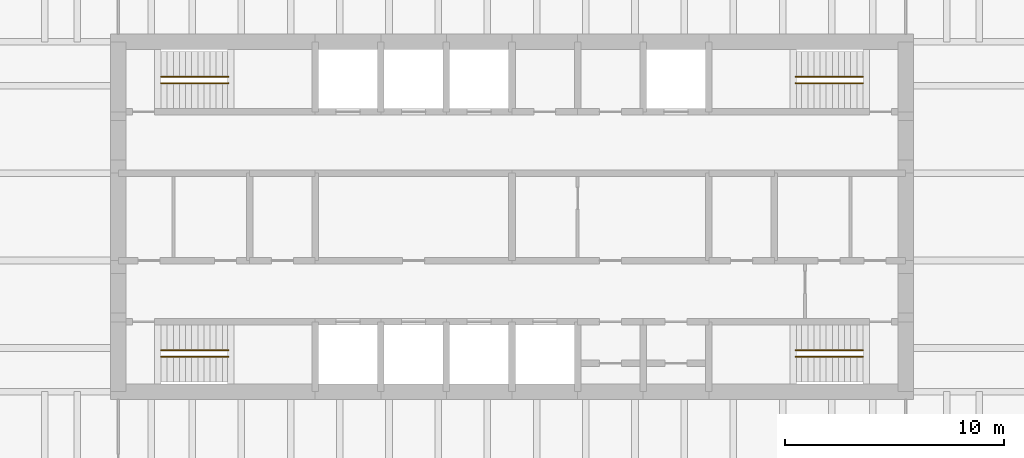
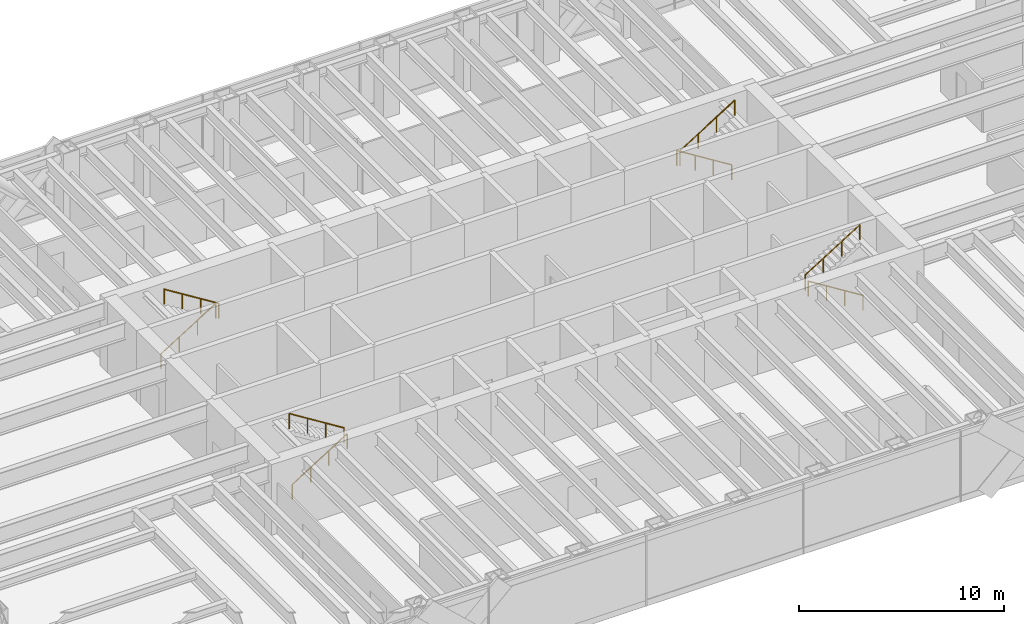
# One storey, part 17 of 17: 8 railings.
"""IFC4 building model written with IfcOpenShell, lengths in metres."""

from ifc_helpers import new_model, si_unit, direction, frame, origin, origin_2d, place, context, subcontext, project, spatial, circle, extrude, material, type_object, element, save


model = new_model("IFC4")

# Units and contexts
model_context = context("Model", 3, precision=1e-05, world=origin(), true_north=direction((0.0, 1.0)))
body_context = subcontext(model_context, "Body", "Model", "MODEL_VIEW")
ifc_project = project(units=[si_unit("LENGTHUNIT", "METRE"), si_unit("AREAUNIT", "SQUARE_METRE"), si_unit("VOLUMEUNIT", "CUBIC_METRE"), si_unit("PLANEANGLEUNIT", "RADIAN"), si_unit("MASSUNIT", "GRAM", prefix="KILO")], contexts=[model_context])

# Site, building, storey
site_placement = place(None, origin())
site = spatial("IfcSite", under=ifc_project, at=site_placement, CompositionType="ELEMENT")
building_placement = place(site_placement, origin())
building = spatial("IfcBuilding", under=site, at=building_placement, Name="Rheinbord Bourse Tower", CompositionType="ELEMENT")
storey_placement = place(building_placement, frame((0.0, 0.0, 317.300048828125)))
storey = spatial("IfcBuildingStorey", under=building, at=storey_placement, Name="L72", CompositionType="ELEMENT", Elevation=317.300048828125)

# Railings
ifc_material = material(Name="Steel handrail", Category="steel")
railing_type = type_object("IfcRailingType", Name="HANDRAIL 900", PredefinedType="HANDRAIL", material=ifc_material)
railing_1_placement = place(storey_placement, frame((19.949951171875, 17.60009765625, 0.175048828125)))
element("IfcRailing", 1, at=railing_1_placement, inside=storey, type_object=railing_type, Name="Handrail", PredefinedType="HANDRAIL", context=body_context, shape_type="SweptSolid", body=[
    extrude(circle(Radius=0.02392578125, at=origin_2d()), frame((0.0, 0.0, 0.8759765625), z_axis=(0.848028513186, 0.0, 0.529950602248), x_axis=(0.0, 1.0, 0.0)), (0.0, 0.0, 1.0), 3.632080078125),
    extrude(circle(Radius=0.02099609375, at=origin_2d()), origin(), (0.0, 0.0, 1.0), 0.851806640625),
    extrude(circle(Radius=0.02099609375, at=origin_2d()), frame((1.026611328125, 0.0, 0.6416015625)), (0.0, 0.0, 1.0), 0.851806640625),
    extrude(circle(Radius=0.02099609375, at=origin_2d()), frame((2.053466796875, 0.0, 1.283203125)), (0.0, 0.0, 1.0), 0.851806640625),
    extrude(circle(Radius=0.02099609375, at=origin_2d()), frame((3.080078125, 0.0, 1.9248046875)), (0.0, 0.0, 1.0), 0.851806640625),
])
railing_2_placement = place(storey_placement, frame((23.030029296875, 17.89990234375, 2.27490234375)))
element("IfcRailing", 2, at=railing_2_placement, inside=storey, type_object=railing_type, Name="Handrail", PredefinedType="HANDRAIL", context=body_context, shape_type="SweptSolid", body=[
    extrude(circle(Radius=0.02392578125, at=origin_2d()), frame((0.0, 0.0, 0.8759765625), z_axis=(-0.847998304005, 0.0, 0.529998940003), x_axis=(0.0, -1.0, 0.0)), (0.0, 0.0, 1.0), 3.632080078125),
    extrude(circle(Radius=0.02099609375, at=origin_2d()), origin(), (0.0, 0.0, 1.0), 0.851806640625),
    extrude(circle(Radius=0.02099609375, at=origin_2d()), frame((-1.026611328125, 0.0, 0.6416015625)), (0.0, 0.0, 1.0), 0.851806640625),
    extrude(circle(Radius=0.02099609375, at=origin_2d()), frame((-2.053466796875, 0.0, 1.283447265625)), (0.0, 0.0, 1.0), 0.851806640625),
    extrude(circle(Radius=0.02099609375, at=origin_2d()), frame((-3.080078125, 0.0, 1.925048828125)), (0.0, 0.0, 1.0), 0.851806640625),
])
railing_3_placement = place(storey_placement, frame((19.949951171875, 30.39990234375, 0.175048828125)))
element("IfcRailing", 3, at=railing_3_placement, inside=storey, type_object=railing_type, Name="Handrail", PredefinedType="HANDRAIL", context=body_context, shape_type="SweptSolid", body=[
    extrude(circle(Radius=0.02392578125, at=origin_2d()), frame((0.0, 0.0, 0.8759765625), z_axis=(0.848028513186, 0.0, 0.529950602248), x_axis=(0.0, 1.0, 0.0)), (0.0, 0.0, 1.0), 3.632080078125),
    extrude(circle(Radius=0.02099609375, at=origin_2d()), origin(), (0.0, 0.0, 1.0), 0.851806640625),
    extrude(circle(Radius=0.02099609375, at=origin_2d()), frame((1.026611328125, 0.0, 0.6416015625)), (0.0, 0.0, 1.0), 0.851806640625),
    extrude(circle(Radius=0.02099609375, at=origin_2d()), frame((2.053466796875, 0.0, 1.283203125)), (0.0, 0.0, 1.0), 0.851806640625),
    extrude(circle(Radius=0.02099609375, at=origin_2d()), frame((3.080078125, 0.0, 1.9248046875)), (0.0, 0.0, 1.0), 0.851806640625),
])
railing_4_placement = place(storey_placement, frame((23.030029296875, 30.10009765625, 2.27490234375)))
element("IfcRailing", 4, at=railing_4_placement, inside=storey, type_object=railing_type, Name="Handrail", PredefinedType="HANDRAIL", context=body_context, shape_type="SweptSolid", body=[
    extrude(circle(Radius=0.02392578125, at=origin_2d()), frame((0.0, 0.0, 0.8759765625), z_axis=(-0.847998304005, 0.0, 0.529998940003), x_axis=(0.0, -1.0, 0.0)), (0.0, 0.0, 1.0), 3.632080078125),
    extrude(circle(Radius=0.02099609375, at=origin_2d()), origin(), (0.0, 0.0, 1.0), 0.851806640625),
    extrude(circle(Radius=0.02099609375, at=origin_2d()), frame((-1.026611328125, 0.0, 0.6416015625)), (0.0, 0.0, 1.0), 0.851806640625),
    extrude(circle(Radius=0.02099609375, at=origin_2d()), frame((-2.053466796875, 0.0, 1.283447265625)), (0.0, 0.0, 1.0), 0.851806640625),
    extrude(circle(Radius=0.02099609375, at=origin_2d()), frame((-3.080078125, 0.0, 1.925048828125)), (0.0, 0.0, 1.0), 0.851806640625),
])
railing_5_placement = place(storey_placement, frame((52.050048828125, 17.60009765625, 0.175048828125)))
element("IfcRailing", 5, at=railing_5_placement, inside=storey, type_object=railing_type, Name="Handrail", PredefinedType="HANDRAIL", context=body_context, shape_type="SweptSolid", body=[
    extrude(circle(Radius=0.02392578125, at=origin_2d()), frame((0.0, 0.0, 0.8759765625), z_axis=(-0.848028513186, 0.0, 0.529950602248), x_axis=(0.0, -1.0, 0.0)), (0.0, 0.0, 1.0), 3.632080078125),
    extrude(circle(Radius=0.02099609375, at=origin_2d()), origin(), (0.0, 0.0, 1.0), 0.851806640625),
    extrude(circle(Radius=0.02099609375, at=origin_2d()), frame((-1.026611328125, 0.0, 0.6416015625)), (0.0, 0.0, 1.0), 0.851806640625),
    extrude(circle(Radius=0.02099609375, at=origin_2d()), frame((-2.053466796875, 0.0, 1.283203125)), (0.0, 0.0, 1.0), 0.851806640625),
    extrude(circle(Radius=0.02099609375, at=origin_2d()), frame((-3.080078125, 0.0, 1.9248046875)), (0.0, 0.0, 1.0), 0.851806640625),
])
railing_6_placement = place(storey_placement, frame((48.969970703125, 17.89990234375, 2.27490234375)))
element("IfcRailing", 6, at=railing_6_placement, inside=storey, type_object=railing_type, Name="Handrail", PredefinedType="HANDRAIL", context=body_context, shape_type="SweptSolid", body=[
    extrude(circle(Radius=0.02392578125, at=origin_2d()), frame((0.0, 0.0, 0.8759765625), z_axis=(0.847998304005, 0.0, 0.529998940003), x_axis=(0.0, 1.0, 0.0)), (0.0, 0.0, 1.0), 3.632080078125),
    extrude(circle(Radius=0.02099609375, at=origin_2d()), origin(), (0.0, 0.0, 1.0), 0.851806640625),
    extrude(circle(Radius=0.02099609375, at=origin_2d()), frame((1.026611328125, 0.0, 0.6416015625)), (0.0, 0.0, 1.0), 0.851806640625),
    extrude(circle(Radius=0.02099609375, at=origin_2d()), frame((2.053466796875, 0.0, 1.283447265625)), (0.0, 0.0, 1.0), 0.851806640625),
    extrude(circle(Radius=0.02099609375, at=origin_2d()), frame((3.080078125, 0.0, 1.925048828125)), (0.0, 0.0, 1.0), 0.851806640625),
])
railing_7_placement = place(storey_placement, frame((52.050048828125, 30.39990234375, 0.175048828125)))
element("IfcRailing", 7, at=railing_7_placement, inside=storey, type_object=railing_type, Name="Handrail", PredefinedType="HANDRAIL", context=body_context, shape_type="SweptSolid", body=[
    extrude(circle(Radius=0.02392578125, at=origin_2d()), frame((0.0, 0.0, 0.8759765625), z_axis=(-0.848028513186, 0.0, 0.529950602248), x_axis=(0.0, -1.0, 0.0)), (0.0, 0.0, 1.0), 3.632080078125),
    extrude(circle(Radius=0.02099609375, at=origin_2d()), origin(), (0.0, 0.0, 1.0), 0.851806640625),
    extrude(circle(Radius=0.02099609375, at=origin_2d()), frame((-1.026611328125, 0.0, 0.6416015625)), (0.0, 0.0, 1.0), 0.851806640625),
    extrude(circle(Radius=0.02099609375, at=origin_2d()), frame((-2.053466796875, 0.0, 1.283203125)), (0.0, 0.0, 1.0), 0.851806640625),
    extrude(circle(Radius=0.02099609375, at=origin_2d()), frame((-3.080078125, 0.0, 1.9248046875)), (0.0, 0.0, 1.0), 0.851806640625),
])
railing_8_placement = place(storey_placement, frame((48.969970703125, 30.10009765625, 2.27490234375)))
element("IfcRailing", 8, at=railing_8_placement, inside=storey, type_object=railing_type, Name="Handrail", PredefinedType="HANDRAIL", context=body_context, shape_type="SweptSolid", body=[
    extrude(circle(Radius=0.02392578125, at=origin_2d()), frame((0.0, 0.0, 0.8759765625), z_axis=(0.847998304005, 0.0, 0.529998940003), x_axis=(0.0, 1.0, 0.0)), (0.0, 0.0, 1.0), 3.632080078125),
    extrude(circle(Radius=0.02099609375, at=origin_2d()), origin(), (0.0, 0.0, 1.0), 0.851806640625),
    extrude(circle(Radius=0.02099609375, at=origin_2d()), frame((1.026611328125, 0.0, 0.6416015625)), (0.0, 0.0, 1.0), 0.851806640625),
    extrude(circle(Radius=0.02099609375, at=origin_2d()), frame((2.053466796875, 0.0, 1.283447265625)), (0.0, 0.0, 1.0), 0.851806640625),
    extrude(circle(Radius=0.02099609375, at=origin_2d()), frame((3.080078125, 0.0, 1.925048828125)), (0.0, 0.0, 1.0), 0.851806640625),
])

save(model, "model.ifc")
